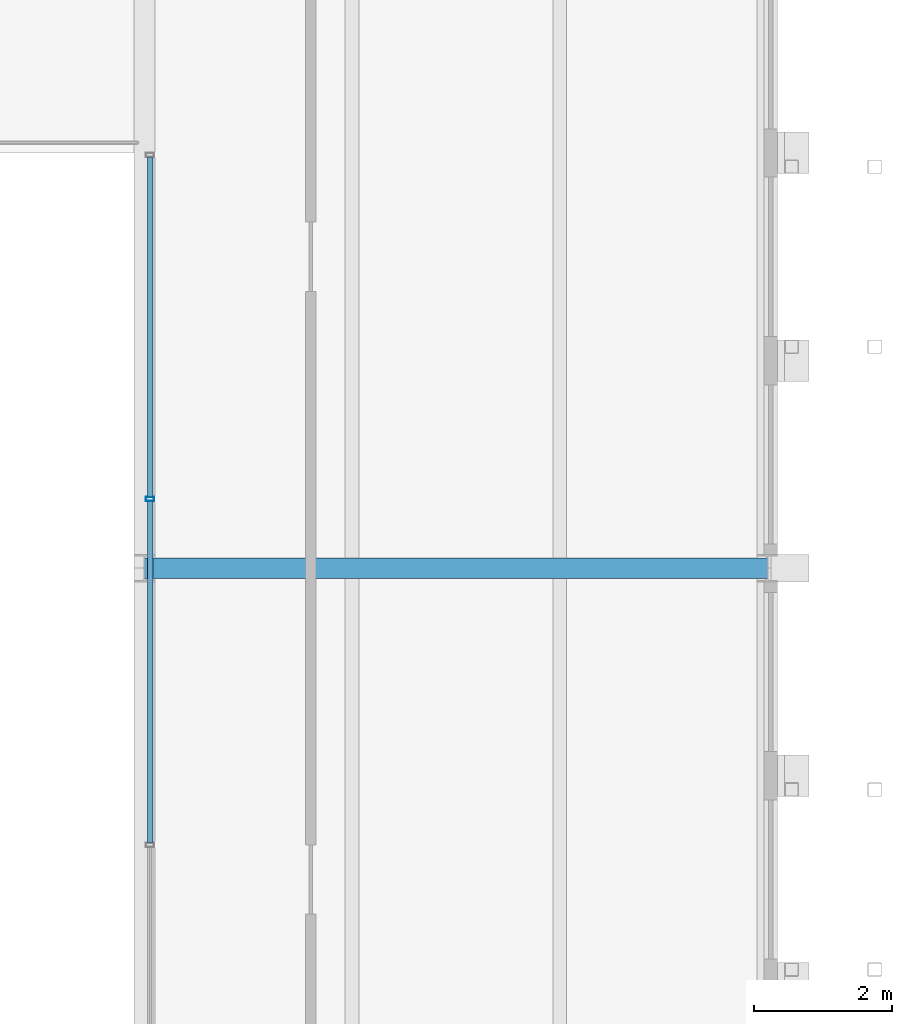
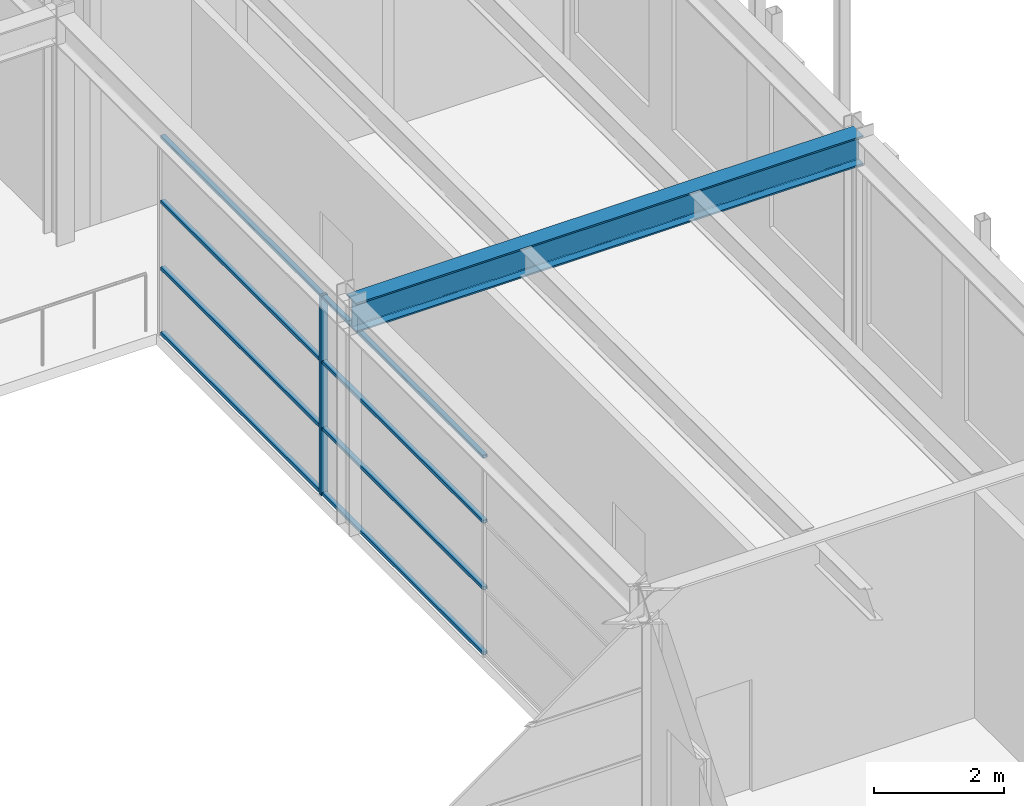
# One storey, part 42 of 153: 9 members, 1 beam, 1 element without a shape of its own.
"""IFC4 building model written with IfcOpenShell, lengths in metres."""

import ifcopenshell
import ifcopenshell.guid

model = None  # the IFC model being written
_history = None  # IfcOwnerHistory: only IFC2X3 demands one
_inside = {}  # id of a spatial element -> (the spatial element, [elements in it])
_under = {}  # id of a project, library or spatial element -> (it, [spatial elements below it])
_declared = {}  # id of a project -> (the project, [libraries it declares])
_typed = {}  # id of a type object -> (the type object, [elements of that type])
_made_of = {}  # id of a material, layer set ... -> (it, [elements and type objects made of it])


def new_model(schema):
    """Start an empty IFC model of exactly this schema.

    Asked for "IFC4X3", IfcOpenShell would pick the latest addendum, in which some entities
    have other attributes; the version numbers below select the first issue.
    IFC2X3 requires an IfcOwnerHistory on every rooted entity: one is made here for all.
    """
    global model, _history
    if schema == "IFC4X3":
        model = ifcopenshell.file(schema_version=(4, 3, 0, 0))
    else:
        model = ifcopenshell.file(schema=schema)
    _inside.clear()
    _under.clear()
    _declared.clear()
    _typed.clear()
    _made_of.clear()
    _history = None
    if model.schema == "IFC2X3":
        org = make("IfcOrganization", Name="unknown")
        user = make(
            "IfcPersonAndOrganization",
            ThePerson=make("IfcPerson", FamilyName="unknown"),
            TheOrganization=org,
        )
        app = make(
            "IfcApplication",
            ApplicationDeveloper=org,
            Version="unknown",
            ApplicationFullName="unknown",
            ApplicationIdentifier="unknown",
        )
        _history = make(
            "IfcOwnerHistory",
            OwningUser=user,
            OwningApplication=app,
            ChangeAction="ADDED",
            CreationDate=0,
        )
    return model


def make(cls, **values):
    """One entity of the class cls with the attributes given. An attribute that is None is left unset."""
    return model.create_entity(
        cls, **{name: value for name, value in values.items() if value is not None}
    )


def rooted(cls, **values):
    """An entity with a GlobalId (a new one), such as an element, a storey or a relation."""
    return make(cls, GlobalId=ifcopenshell.guid.new(), OwnerHistory=_history, **values)


def si_unit(unit_type, name, prefix=None):
    """IfcSIUnit, for example si_unit("LENGTHUNIT", "METRE", prefix="MILLI")."""
    return make("IfcSIUnit", UnitType=unit_type, Prefix=prefix, Name=name)


def assignment(units):
    """IfcUnitAssignment: the units of a project."""
    return None if units is None else make("IfcUnitAssignment", Units=units)


def point(xyz):
    """IfcCartesianPoint."""
    return None if xyz is None else make("IfcCartesianPoint", Coordinates=xyz)


def direction(xyz):
    """IfcDirection."""
    return None if xyz is None else make("IfcDirection", DirectionRatios=xyz)


def frame(location, z_axis=None, x_axis=None):
    """IfcAxis2Placement3D, a coordinate frame: its origin and axes. An axis left out is left unset."""
    return make(
        "IfcAxis2Placement3D",
        Location=point(location),
        Axis=direction(z_axis),
        RefDirection=direction(x_axis),
    )


def frame_2d(location, x_axis=None):
    """IfcAxis2Placement2D, a coordinate frame in the plane: its origin and x axis."""
    return make(
        "IfcAxis2Placement2D", Location=point(location), RefDirection=direction(x_axis)
    )


def origin():
    """The frame at (0, 0, 0) with its axes left unset."""
    return frame((0.0, 0.0, 0.0))


def origin_2d():
    """The frame at (0, 0) in the plane with its x axis left unset."""
    return frame_2d((0.0, 0.0))


def place(relative_to, where):
    """IfcLocalPlacement: puts the frame where relative to a parent placement (None: the world)."""
    return make(
        "IfcLocalPlacement", PlacementRelTo=relative_to, RelativePlacement=where
    )


def context(
    kind, dimensions, precision=None, world=None, true_north=None, identifier=None
):
    """IfcGeometricRepresentationContext, for example the 3D "Model" context."""
    return make(
        "IfcGeometricRepresentationContext",
        ContextIdentifier=identifier,
        ContextType=kind,
        CoordinateSpaceDimension=dimensions,
        Precision=precision,
        WorldCoordinateSystem=world,
        TrueNorth=true_north,
    )


def subcontext(parent, identifier, kind, view, scale=None):
    """IfcGeometricRepresentationSubContext, for example "Body" below "Model"."""
    return make(
        "IfcGeometricRepresentationSubContext",
        ContextIdentifier=identifier,
        ContextType=kind,
        ParentContext=parent,
        TargetScale=scale,
        TargetView=view,
    )


def project(units=None, contexts=None):
    """IfcProject with its units and contexts."""
    return rooted(
        "IfcProject",
        Name="project",
        RepresentationContexts=contexts,
        UnitsInContext=assignment(units),
    )


def spatial(cls, under=None, at=None, **own):
    """A site, building, storey or space (cls), placed at a placement, below another one or the project."""
    s = rooted(cls, ObjectPlacement=at, **own)
    if under is not None:
        _under.setdefault(under.id(), (under, []))[1].append(s)
    return s


def profile(cls, at=None, kind="AREA", **sizes):
    """A parametric profile (cls). Its sizes go by their IFC names, for example OverallWidth=200.0."""
    return make(cls, ProfileType=kind, Position=at, **sizes)


def hollow_rectangle(**sizes):
    """IfcRectangleHollowProfileDef."""
    return profile("IfcRectangleHollowProfileDef", **sizes)


def i_section(**sizes):
    """IfcIShapeProfileDef."""
    return profile("IfcIShapeProfileDef", **sizes)


def extrude(swept, where, along, depth):
    """IfcExtrudedAreaSolid: the profile swept, set in the frame where, extruded along a direction by depth."""
    return make(
        "IfcExtrudedAreaSolid",
        SweptArea=swept,
        Position=where,
        ExtrudedDirection=direction(along),
        Depth=depth,
    )


def shape(context_of_items, identifier, shape_type, items):
    """IfcShapeRepresentation: the items that make up one representation, for example the "Body"."""
    return make(
        "IfcShapeRepresentation",
        ContextOfItems=context_of_items,
        RepresentationIdentifier=identifier,
        RepresentationType=shape_type,
        Items=items,
    )


def material(Name=None, Category=None):
    """IfcMaterial."""
    return make("IfcMaterial", Name=Name, Category=Category)


def material_profile(
    of_material, cross_section, Name=None, Category=None, Priority=None
):
    """IfcMaterialProfile: a cross section and its material."""
    return make(
        "IfcMaterialProfile",
        Name=Name,
        Material=of_material,
        Profile=cross_section,
        Priority=Priority,
        Category=Category,
    )


def profile_set(profiles, Name=None, composite=None):
    """IfcMaterialProfileSet."""
    return make(
        "IfcMaterialProfileSet",
        Name=Name,
        MaterialProfiles=profiles,
        CompositeProfile=composite,
    )


def made_of(thing, what):
    """Note that an element or type object is made of a material, layer set ...; save() writes the relation."""
    if what is not None:
        _made_of.setdefault(what.id(), (what, []))[1].append(thing)
    return thing


def type_object(cls, material=None, **own):
    """A type object (cls), such as IfcWallType, which elements share."""
    return made_of(rooted(cls, **own), material)


def element(
    cls,
    number,
    at=None,
    inside=None,
    cuts=None,
    type_object=None,
    material=None,
    context=None,
    identifier="Body",
    shape_type=None,
    held_by="IfcProductDefinitionShape",
    body=None,
    shapes=None,
    **own,
):
    """One element of the class cls, such as IfcWall. Its Tag is "e" and its number.

    at: its placement. inside: the storey or other place that contains it. cuts: it is an
    opening in that element (IfcRelVoidsElement). A single representation is given by context,
    identifier, shape_type and body (its items); several are given by shapes. held_by: the class
    of the entity that holds the representations. save() writes the other relations.
    """
    e = rooted(cls, Tag="e%d" % number, ObjectPlacement=at, **own)
    if body is not None:
        shapes = [shape(context, identifier, shape_type, body)]
    if shapes is not None:
        e.Representation = make(held_by, Representations=shapes)
    if inside is not None:
        _inside.setdefault(inside.id(), (inside, []))[1].append(e)
    if cuts is not None:
        rooted(
            "IfcRelVoidsElement", RelatingBuildingElement=cuts, RelatedOpeningElement=e
        )
    if type_object is not None:
        _typed.setdefault(type_object.id(), (type_object, []))[1].append(e)
    return made_of(e, material)


def aggregate(whole, parts):
    """IfcRelAggregates: a whole, such as a stair, and the parts it consists of."""
    return rooted("IfcRelAggregates", RelatingObject=whole, RelatedObjects=parts)


def save(model, path):
    """Write the relations noted so far, then the file.

    IfcRelAggregates (storeys below a building ...), IfcRelContainedInSpatialStructure (elements
    in a storey), IfcRelDefinesByType, IfcRelAssociatesMaterial and IfcRelDeclares: one each for
    every whole, place, type object, material and project.
    """
    for whole, parts in _under.values():
        aggregate(whole, parts)
    for where, things in _inside.values():
        rooted(
            "IfcRelContainedInSpatialStructure",
            RelatedElements=things,
            RelatingStructure=where,
        )
    for kind, things in _typed.values():
        rooted("IfcRelDefinesByType", RelatedObjects=things, RelatingType=kind)
    for what, things in _made_of.values():
        rooted("IfcRelAssociatesMaterial", RelatedObjects=things, RelatingMaterial=what)
    for by, libraries in _declared.values():
        rooted("IfcRelDeclares", RelatingContext=by, RelatedDefinitions=libraries)
    model.write(path)


model = new_model("IFC4")

# Units and contexts
model_context = context("Model", 3, precision=1e-05, world=origin(), true_north=direction((0.0, 1.0)))
body_context = subcontext(model_context, "Body", "Model", "MODEL_VIEW")
ifc_project = project(units=[si_unit("LENGTHUNIT", "METRE"), si_unit("AREAUNIT", "SQUARE_METRE"), si_unit("VOLUMEUNIT", "CUBIC_METRE"), si_unit("PLANEANGLEUNIT", "RADIAN"), si_unit("MASSUNIT", "GRAM", prefix="KILO")], contexts=[model_context])

# Site, building, storey
site_placement = place(None, origin())
site = spatial("IfcSite", under=ifc_project, at=site_placement, CompositionType="ELEMENT")
building_placement = place(site_placement, origin())
building = spatial("IfcBuilding", under=site, at=building_placement, Name="Kallimachos Central Library", CompositionType="ELEMENT")
storey_placement = place(building_placement, frame((0.0, 0.0, 5.39990234375)))
storey = spatial("IfcBuildingStorey", under=building, at=storey_placement, Name="L01", CompositionType="ELEMENT", Elevation=5.39990234375)

# Curtain wall, members
ifc_material_1 = material(Name="Aluminium and laminated glass", Category="aluminium")
curtain_wall_type = type_object("IfcCurtainWallType", Name="Atrium glazed screen", PredefinedType="NOTDEFINED", material=ifc_material_1)
curtain_wall_placement = place(storey_placement, origin())
curtain_wall = element("IfcCurtainWall", 1, at=curtain_wall_placement, inside=storey, type_object=curtain_wall_type, Name="L01 atrium screen E", PredefinedType="NOTDEFINED")
ifc_material_2 = material(Name="Anodised aluminium", Category="aluminium")
ifc_material_profile_1 = material_profile(ifc_material_2, hollow_rectangle(XDim=0.06005859375, YDim=0.1201171875, WallThickness=0.00390625, at=origin_2d()), Name="ALU MULLION 60x120")
ifc_profile_set_1 = profile_set([ifc_material_profile_1], Name="Anodised aluminium")
member_type_1 = type_object("IfcMemberType", Name="Atrium screen mullion", PredefinedType="MULLION", material=ifc_profile_set_1)
member_1_placement = place(storey_placement, frame((101.580078125, 67.0, 0.0), z_axis=(0.0, 0.0, 1.0), x_axis=(0.0, 1.0, 0.0)))
member_1 = element("IfcMember", 2, at=member_1_placement, type_object=member_type_1, Name="CW mullion 3", PredefinedType="MULLION", context=body_context, shape_type="SweptSolid", body=[
    extrude(hollow_rectangle(XDim=0.06005859375, YDim=0.1201171875, WallThickness=0.00390625, at=origin_2d()), origin(), (0.0, 0.0, 1.0), 3.75),
])
ifc_material_3 = material(Name="Anodised aluminium", Category="aluminium")
ifc_material_profile_2 = material_profile(ifc_material_3, hollow_rectangle(XDim=0.06005859375, YDim=0.080078125, WallThickness=0.00390625, at=origin_2d()), Name="ALU TRANSOM 60x80")
ifc_profile_set_2 = profile_set([ifc_material_profile_2], Name="Anodised aluminium")
member_type_2 = type_object("IfcMemberType", Name="Atrium screen transom", PredefinedType="USERDEFINED", material=ifc_profile_set_2)
member_2_placement = place(storey_placement, frame((101.580078125, 62.030029296875, 0.030029296875), z_axis=(0.0, 1.0, 0.0), x_axis=(0.0, 0.0, 1.0)))
member_2 = element("IfcMember", 3, at=member_2_placement, type_object=member_type_2, Name="CW transom 2.1", ObjectType="TRANSOM", PredefinedType="USERDEFINED", context=body_context, shape_type="SweptSolid", body=[
    extrude(hollow_rectangle(XDim=0.06005859375, YDim=0.080078125, WallThickness=0.00390625, at=origin_2d()), origin(), (0.0, 0.0, 1.0), 4.93994140625),
])
member_3_placement = place(storey_placement, frame((101.580078125, 62.030029296875, 1.25), z_axis=(0.0, 1.0, 0.0), x_axis=(0.0, 0.0, 1.0)))
member_3 = element("IfcMember", 4, at=member_3_placement, type_object=member_type_2, Name="CW transom 2.2", ObjectType="TRANSOM", PredefinedType="USERDEFINED", context=body_context, shape_type="SweptSolid", body=[
    extrude(hollow_rectangle(XDim=0.06005859375, YDim=0.080078125, WallThickness=0.00390625, at=origin_2d()), origin(), (0.0, 0.0, 1.0), 4.93994140625),
])
member_4_placement = place(storey_placement, frame((101.580078125, 62.030029296875, 2.5), z_axis=(0.0, 1.0, 0.0), x_axis=(0.0, 0.0, 1.0)))
member_4 = element("IfcMember", 5, at=member_4_placement, type_object=member_type_2, Name="CW transom 2.3", ObjectType="TRANSOM", PredefinedType="USERDEFINED", context=body_context, shape_type="SweptSolid", body=[
    extrude(hollow_rectangle(XDim=0.06005859375, YDim=0.080078125, WallThickness=0.00390625, at=origin_2d()), origin(), (0.0, 0.0, 1.0), 4.93994140625),
])
member_5_placement = place(storey_placement, frame((101.580078125, 62.030029296875, 3.72021484375), z_axis=(0.0, 1.0, 0.0), x_axis=(0.0, 0.0, 1.0)))
member_5 = element("IfcMember", 6, at=member_5_placement, type_object=member_type_2, Name="CW transom 2.4", ObjectType="TRANSOM", PredefinedType="USERDEFINED", context=body_context, shape_type="SweptSolid", body=[
    extrude(hollow_rectangle(XDim=0.06005859375, YDim=0.080078125, WallThickness=0.00390625, at=origin_2d()), origin(), (0.0, 0.0, 1.0), 4.93994140625),
])
member_6_placement = place(storey_placement, frame((101.580078125, 67.030029296875, 0.030029296875), z_axis=(0.0, 1.0, 0.0), x_axis=(0.0, 0.0, 1.0)))
member_6 = element("IfcMember", 7, at=member_6_placement, type_object=member_type_2, Name="CW transom 3.1", ObjectType="TRANSOM", PredefinedType="USERDEFINED", context=body_context, shape_type="SweptSolid", body=[
    extrude(hollow_rectangle(XDim=0.06005859375, YDim=0.080078125, WallThickness=0.00390625, at=origin_2d()), origin(), (0.0, 0.0, 1.0), 4.909912109375),
])
member_7_placement = place(storey_placement, frame((101.580078125, 67.030029296875, 1.25), z_axis=(0.0, 1.0, 0.0), x_axis=(0.0, 0.0, 1.0)))
member_7 = element("IfcMember", 8, at=member_7_placement, type_object=member_type_2, Name="CW transom 3.2", ObjectType="TRANSOM", PredefinedType="USERDEFINED", context=body_context, shape_type="SweptSolid", body=[
    extrude(hollow_rectangle(XDim=0.06005859375, YDim=0.080078125, WallThickness=0.00390625, at=origin_2d()), origin(), (0.0, 0.0, 1.0), 4.909912109375),
])
member_8_placement = place(storey_placement, frame((101.580078125, 67.030029296875, 2.5), z_axis=(0.0, 1.0, 0.0), x_axis=(0.0, 0.0, 1.0)))
member_8 = element("IfcMember", 9, at=member_8_placement, type_object=member_type_2, Name="CW transom 3.3", ObjectType="TRANSOM", PredefinedType="USERDEFINED", context=body_context, shape_type="SweptSolid", body=[
    extrude(hollow_rectangle(XDim=0.06005859375, YDim=0.080078125, WallThickness=0.00390625, at=origin_2d()), origin(), (0.0, 0.0, 1.0), 4.909912109375),
])
member_9_placement = place(storey_placement, frame((101.580078125, 67.030029296875, 3.72021484375), z_axis=(0.0, 1.0, 0.0), x_axis=(0.0, 0.0, 1.0)))
member_9 = element("IfcMember", 10, at=member_9_placement, type_object=member_type_2, Name="CW transom 3.4", ObjectType="TRANSOM", PredefinedType="USERDEFINED", context=body_context, shape_type="SweptSolid", body=[
    extrude(hollow_rectangle(XDim=0.06005859375, YDim=0.080078125, WallThickness=0.00390625, at=origin_2d()), origin(), (0.0, 0.0, 1.0), 4.909912109375),
])
aggregate(curtain_wall, [member_1, member_2, member_3, member_4, member_5, member_6, member_7, member_8, member_9])

# Beam
ifc_material_4 = material(Name="Steel S355J2", Category="steel")
ifc_material_profile_3 = material_profile(ifc_material_4, i_section(OverallWidth=0.300048828125, OverallDepth=0.550048828125, WebThickness=0.014892578125, FlangeThickness=0.029052734375, FilletRadius=0.027099609375, at=origin_2d()), Name="HEB 550")
ifc_profile_set_3 = profile_set([ifc_material_profile_3], Name="Steel S355J2")
beam_type = type_object("IfcBeamType", Name="HEB 550 beam", PredefinedType="BEAM", material=ifc_profile_set_3)
beam_placement = place(storey_placement, frame((101.5, 66.0, 4.025146484375), z_axis=(1.0, 0.0, 0.0), x_axis=(0.0, 1.0, 0.0)))
element("IfcBeam", 11, at=beam_placement, inside=storey, type_object=beam_type, Name="V4-BEM-L01-032", PredefinedType="BEAM", context=body_context, shape_type="SweptSolid", body=[
    extrude(i_section(OverallWidth=0.300048828125, OverallDepth=0.550048828125, WebThickness=0.014892578125, FlangeThickness=0.029052734375, FilletRadius=0.027099609375, at=origin_2d()), origin(), (0.0, 0.0, 1.0), 9.0),
])

save(model, "model.ifc")
